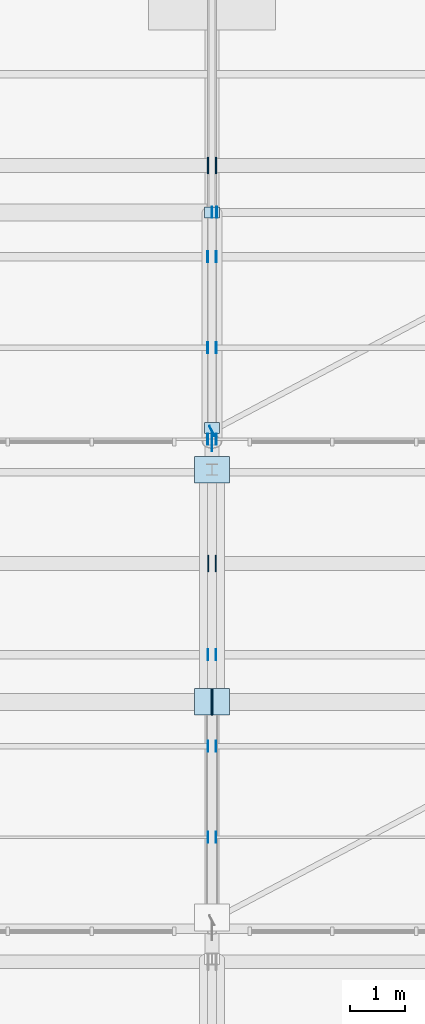
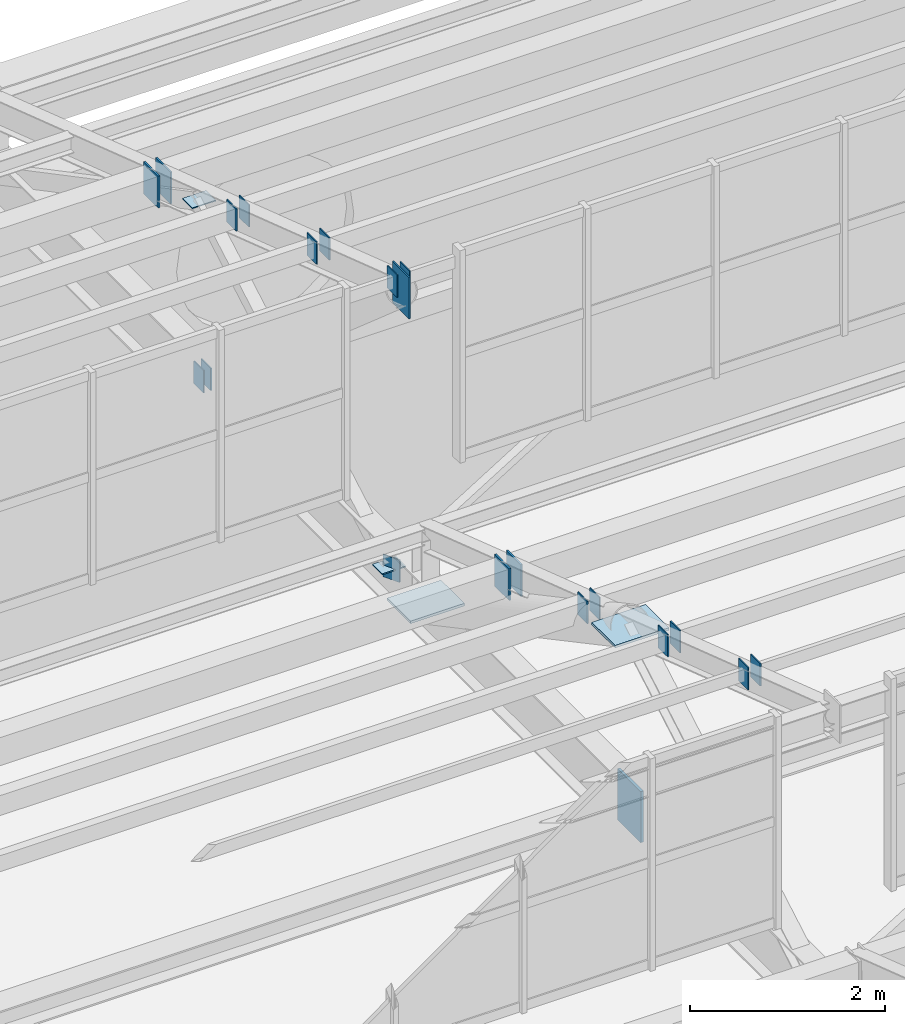
# One storey, part 244 of 285: 25 plates.
"""IFC4 building model written with IfcOpenShell, lengths in metres."""

from ifc_helpers import new_model, si_unit, direction, frame, origin, origin_2d, place, context, subcontext, project, spatial, rectangle, extrude, material, layer, layer_set, type_object, element, save


model = new_model("IFC4")

# Units and contexts
model_context = context("Model", 3, precision=1e-05, world=origin(), true_north=direction((0.0, 1.0)))
body_context = subcontext(model_context, "Body", "Model", "MODEL_VIEW")
ifc_project = project(units=[si_unit("LENGTHUNIT", "METRE"), si_unit("AREAUNIT", "SQUARE_METRE"), si_unit("VOLUMEUNIT", "CUBIC_METRE"), si_unit("PLANEANGLEUNIT", "RADIAN"), si_unit("MASSUNIT", "GRAM", prefix="KILO")], contexts=[model_context])

# Site, building, storey
site_placement = place(None, origin())
site = spatial("IfcSite", under=ifc_project, at=site_placement, CompositionType="ELEMENT")
building_placement = place(site_placement, origin())
building = spatial("IfcBuilding", under=site, at=building_placement, Name="Solanera Park Tramway Depot", CompositionType="ELEMENT")
storey_placement = place(building_placement, origin())
storey = spatial("IfcBuildingStorey", under=building, at=storey_placement, Name="L00", CompositionType="ELEMENT", Elevation=0.0)

# Plates
ifc_material_1 = material(Name="Steel AS/NZS 3679.1 Grade 350", Category="steel")
ifc_layer_1 = layer(ifc_material_1, 0.013916015625)
ifc_layer_set_1 = layer_set([ifc_layer_1], Name="Steel AS/NZS 3679.1 Grade 350")
plate_type_1 = type_object("IfcPlateType", Name="Hollow End Cap and Base Plate 280x200x14", PredefinedType="USERDEFINED", material=ifc_layer_set_1)
for number, where, z_axis, x_axis, name in (
    (1, (119.927978515625, 128.25, 9.5146484375), (0.0, 0.0, 1.0), (1.0, 0.0, 0.0), "Hollow Section Welded End Cap Plate #0953"),
    (2, (120.072021484375, 128.25, 9.5146484375), (0.0, 0.0, 1.0), (1.0, 0.0, 0.0), "Hollow Section Welded End Cap Plate #0954"),
    (3, (119.927978515625, 129.89990234375, 8.92919921875), (0.0, 0.0, 1.0), (1.0, 0.0, 0.0), "Hollow Section Welded End Cap Plate #0965"),
    (4, (120.072021484375, 129.89990234375, 8.92919921875), (0.0, 0.0, 1.0), (1.0, 0.0, 0.0), "Hollow Section Welded End Cap Plate #0966"),
    (5, (119.927978515625, 131.550048828125, 8.34375), (0.0, 0.0, 1.0), (1.0, 0.0, 0.0), "Hollow Section Welded End Cap Plate #0977"),
    (6, (120.072021484375, 131.550048828125, 8.34375), (0.0, 0.0, 1.0), (1.0, 0.0, 0.0), "Hollow Section Welded End Cap Plate #0978"),
    (7, (120.0, 139.550048828125, 6.35986328125), (0.0, 0.0, 1.0), (1.0, 0.0, 0.0), "Sawtooth Truss Hollow End Cap #1033"),
):
    element("IfcPlate", number, at=place(storey_placement, frame(where, z_axis=z_axis, x_axis=x_axis)), inside=storey, type_object=plate_type_1, Name=name, ObjectType="BASE PLATE", PredefinedType="USERDEFINED", context=body_context, shape_type="SweptSolid", body=[
        extrude(rectangle(XDim=0.013916015625, YDim=0.199951171875, at=origin_2d()), origin(), (0.0, 0.0, 1.0), 0.280029296875),
    ])
for number, where, z_axis, x_axis, name in (
    (8, (120.0, 139.550048828125, 8.71142578125), (0.0, 0.0, 1.0), (1.0, 0.0, 0.0), "Sawtooth Truss Node Cap Plate #1035"),
    (9, (120.0, 135.64990234375, 6.4931640625), (0.0, 0.0, 1.0), (1.0, 0.0, 0.0), "Sawtooth Truss Node Cap Plate #1036"),
):
    element("IfcPlate", number, at=place(storey_placement, frame(where, z_axis=z_axis, x_axis=x_axis)), inside=storey, type_object=plate_type_1, Name=name, ObjectType="BASE PLATE", PredefinedType="USERDEFINED", context=body_context, shape_type="SweptSolid", body=[
        extrude(rectangle(XDim=0.280029296875, YDim=0.199951171875, at=origin_2d()), origin(), (0.0, 0.0, 1.0), 0.013916015625),
    ])
for number, where, z_axis, x_axis, name in (
    (10, (119.92529296875, 135.449951171875, 10.06689453125), (0.0, 0.0, 1.0), (1.0, 0.0, 0.0), "Hollow Section Welded End Cap Plate #1051"),
    (11, (120.07470703125, 135.449951171875, 10.06689453125), (0.0, 0.0, 1.0), (1.0, 0.0, 0.0), "Hollow Section Welded End Cap Plate #1052"),
    (12, (119.92529296875, 137.10009765625, 9.4814453125), (0.0, 0.0, 1.0), (1.0, 0.0, 0.0), "Hollow Section Welded End Cap Plate #1063"),
    (13, (120.07470703125, 137.10009765625, 9.4814453125), (0.0, 0.0, 1.0), (1.0, 0.0, 0.0), "Hollow Section Welded End Cap Plate #1064"),
    (14, (119.92529296875, 138.75, 8.89599609375), (0.0, 0.0, 1.0), (1.0, 0.0, 0.0), "Hollow Section Welded End Cap Plate #1075"),
    (15, (120.07470703125, 138.75, 8.89599609375), (0.0, 0.0, 1.0), (1.0, 0.0, 0.0), "Hollow Section Welded End Cap Plate #1076"),
    (16, (120.0849609375, 139.550048828125, 6.35986328125), (0.0, 0.0, 1.0), (1.0, 0.0, 0.0), "Hollow Section Welded End Cap Plate #1100"),
    (17, (119.999267578125, 135.5986328125, 6.35986328125), (0.0, 0.0, 1.0), (0.883520501477, 0.468392488698, 0.0), "Hollow Section Welded End Cap Plate #1102"),
):
    element("IfcPlate", number, at=place(storey_placement, frame(where, z_axis=z_axis, x_axis=x_axis)), inside=storey, type_object=plate_type_1, Name=name, ObjectType="BASE PLATE", PredefinedType="USERDEFINED", context=body_context, shape_type="SweptSolid", body=[
        extrude(rectangle(XDim=0.013916015625, YDim=0.199951171875, at=origin_2d()), origin(), (0.0, 0.0, 1.0), 0.280029296875),
    ])
ifc_material_2 = material(Name="Steel AS/NZS 3679.1 Grade 350", Category="steel")
ifc_layer_2 = layer(ifc_material_2, 0.02001953125)
ifc_layer_set_2 = layer_set([ifc_layer_2], Name="Steel AS/NZS 3679.1 Grade 350")
plate_type_2 = type_object("IfcPlateType", Name="Hollow End Cap and Base Plate 400x300x20", PredefinedType="USERDEFINED", material=ifc_layer_set_2)
for number, where, z_axis, x_axis, name in (
    (18, (119.930908203125, 133.199951171875, 7.6650390625), (0.0, 0.0, 1.0), (1.0, 0.0, 0.0), "Hollow Section Welded End Cap Plate #0989"),
    (19, (120.069091796875, 133.199951171875, 7.6650390625), (0.0, 0.0, 1.0), (1.0, 0.0, 0.0), "Hollow Section Welded End Cap Plate #0990"),
    (20, (119.92822265625, 140.39990234375, 8.217041015625), (0.0, 0.0, 1.0), (1.0, 0.0, 0.0), "Hollow Section Welded End Cap Plate #1087"),
    (21, (120.07177734375, 140.39990234375, 8.217041015625), (0.0, 0.0, 1.0), (1.0, 0.0, 0.0), "Hollow Section Welded End Cap Plate #1088"),
):
    element("IfcPlate", number, at=place(storey_placement, frame(where, z_axis=z_axis, x_axis=x_axis)), inside=storey, type_object=plate_type_2, Name=name, ObjectType="BASE PLATE", PredefinedType="USERDEFINED", context=body_context, shape_type="SweptSolid", body=[
        extrude(rectangle(XDim=0.02001953125, YDim=0.300048828125, at=origin_2d()), origin(), (0.0, 0.0, 1.0), 0.39990234375),
    ])
ifc_material_3 = material(Name="Steel AS/NZS 3679.1 Grade 350", Category="steel")
ifc_layer_3 = layer(ifc_material_3, 0.031982421875)
ifc_layer_set_3 = layer_set([ifc_layer_3], Name="Steel AS/NZS 3679.1 Grade 350")
plate_type_3 = type_object("IfcPlateType", Name="Hollow End Cap and Base Plate 640x480x32", PredefinedType="USERDEFINED", material=ifc_layer_set_3)
plate_1_placement = place(storey_placement, frame((120.0, 130.699951171875, 6.18017578125), z_axis=(0.0, 0.0, 1.0), x_axis=(1.0, 0.0, 0.0)))
element("IfcPlate", 22, at=plate_1_placement, inside=storey, type_object=plate_type_3, Name="Sawtooth Truss Hollow End Cap #0935", ObjectType="BASE PLATE", PredefinedType="USERDEFINED", context=body_context, shape_type="SweptSolid", body=[
    extrude(rectangle(XDim=0.031982421875, YDim=0.47998046875, at=origin_2d()), origin(), (0.0, 0.0, 1.0), 0.639892578125),
])
for number, where, z_axis, x_axis, name in (
    (23, (120.0, 134.89990234375, 6.48388671875), (0.0, 0.0, 1.0), (1.0, 0.0, 0.0), "Sawtooth Truss Node Cap Plate #0936"),
    (24, (120.0, 130.699951171875, 8.7265625), (0.0, 0.0, 1.0), (1.0, 0.0, 0.0), "Sawtooth Truss Node Cap Plate #0937"),
):
    element("IfcPlate", number, at=place(storey_placement, frame(where, z_axis=z_axis, x_axis=x_axis)), inside=storey, type_object=plate_type_3, Name=name, ObjectType="BASE PLATE", PredefinedType="USERDEFINED", context=body_context, shape_type="SweptSolid", body=[
        extrude(rectangle(XDim=0.639892578125, YDim=0.47998046875, at=origin_2d()), origin(), (0.0, 0.0, 1.0), 0.031982421875),
    ])
ifc_material_4 = material(Name="Steel AS/NZS 3679.1 Grade 350", Category="steel")
ifc_layer_4 = layer(ifc_material_4, 0.01806640625)
ifc_layer_set_4 = layer_set([ifc_layer_4], Name="Steel AS/NZS 3679.1 Grade 350")
plate_type_4 = type_object("IfcPlateType", Name="Truss Node Gusset Stiffener 520x340x18", PredefinedType="SHEET", material=ifc_layer_set_4)
plate_2_placement = place(storey_placement, frame((120.0, 135.39990234375, 9.846923828125), z_axis=(0.0, 0.0, 1.0), x_axis=(1.0, 0.0, 0.0)))
element("IfcPlate", 25, at=plate_2_placement, inside=storey, type_object=plate_type_4, Name="Sawtooth Truss Apex Gusset Plate #1032", PredefinedType="SHEET", context=body_context, shape_type="SweptSolid", body=[
    extrude(rectangle(XDim=0.01806640625, YDim=0.340087890625, at=origin_2d()), origin(), (0.0, 0.0, 1.0), 0.52001953125),
])

save(model, "model.ifc")
